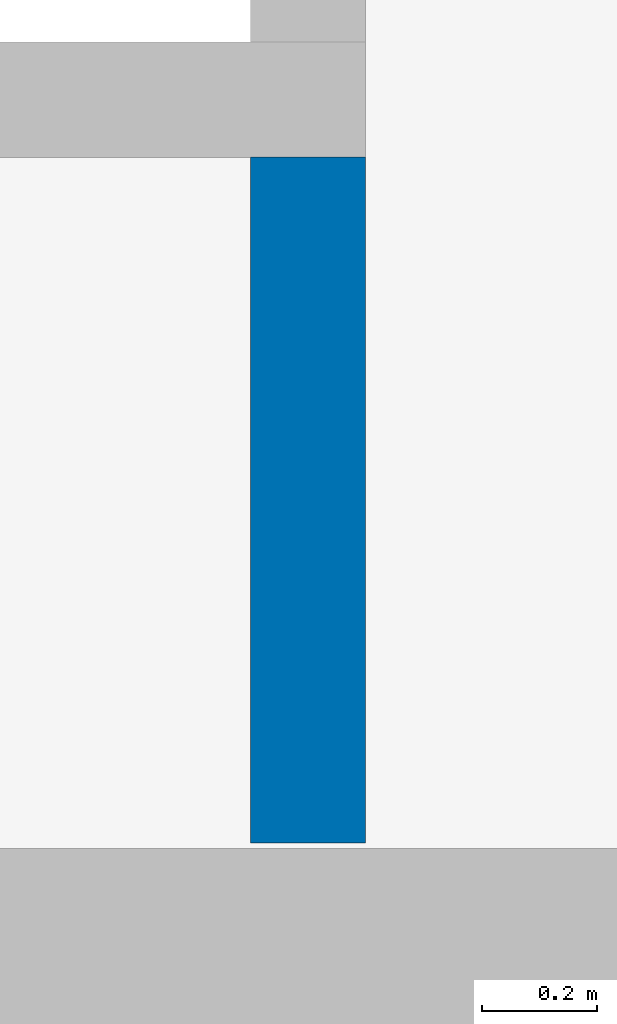
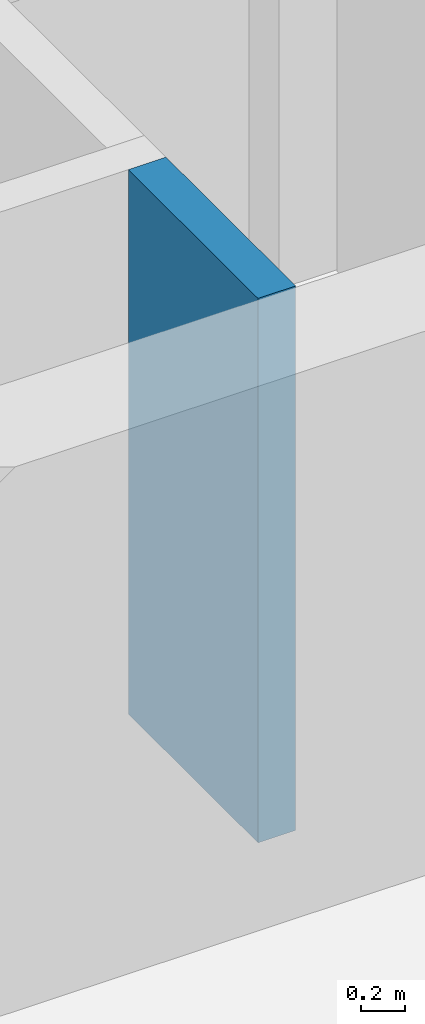
# One storey, part 8 of 44: 1 wall.
"""IFC4 building model written with IfcOpenShell, lengths in metres."""

from ifc_helpers import new_model, si_unit, direction, frame, frame_2d, origin, place, context, subcontext, project, spatial, rectangle, extrude, material, layer, layer_set, type_object, element, save


model = new_model("IFC4")

# Units and contexts
model_context = context("Model", 3, precision=1e-05, world=origin(), true_north=direction((0.0, 1.0)))
body_context = subcontext(model_context, "Body", "Model", "MODEL_VIEW")
ifc_project = project(units=[si_unit("LENGTHUNIT", "METRE"), si_unit("AREAUNIT", "SQUARE_METRE"), si_unit("VOLUMEUNIT", "CUBIC_METRE"), si_unit("PLANEANGLEUNIT", "RADIAN"), si_unit("MASSUNIT", "GRAM", prefix="KILO")], contexts=[model_context])

# Site, building, storey
site_placement = place(None, origin())
site = spatial("IfcSite", under=ifc_project, at=site_placement, CompositionType="ELEMENT")
building_placement = place(site_placement, origin())
building = spatial("IfcBuilding", under=site, at=building_placement, Name="Poui Terraces", CompositionType="ELEMENT")
storey_placement = place(building_placement, frame((0.0, 0.0, 30.0)))
storey = spatial("IfcBuildingStorey", under=building, at=storey_placement, Name="L07", CompositionType="ELEMENT", Elevation=30.0)

# Wall
ifc_material = material(Name="Fire-rated masonry wall", Category="masonry")
ifc_layer = layer(ifc_material, 0.199951171875)
ifc_layer_set = layer_set([ifc_layer], Name="Fire-rated masonry wall")
wall_type = type_object("IfcWallType", Name="PLANT ROOM WALL 200", PredefinedType="PARTITIONING", material=ifc_layer_set)
wall_placement = place(storey_placement, frame((49.699951171875, 14.909912109375, 0.0), z_axis=(0.0, 0.0, 1.0), x_axis=(0.0, 1.0, 0.0)))
element("IfcWall", 1, at=wall_placement, inside=storey, type_object=wall_type, Name="PLANT ROOM WALL 200", PredefinedType="PARTITIONING", context=body_context, shape_type="SweptSolid", body=[
    extrude(rectangle(XDim=1.190185546875, YDim=0.199951171875, at=frame_2d((0.59521484375, 0.0))), origin(), (0.0, 0.0, 1.0), 3.050048828125),
])

save(model, "model.ifc")
